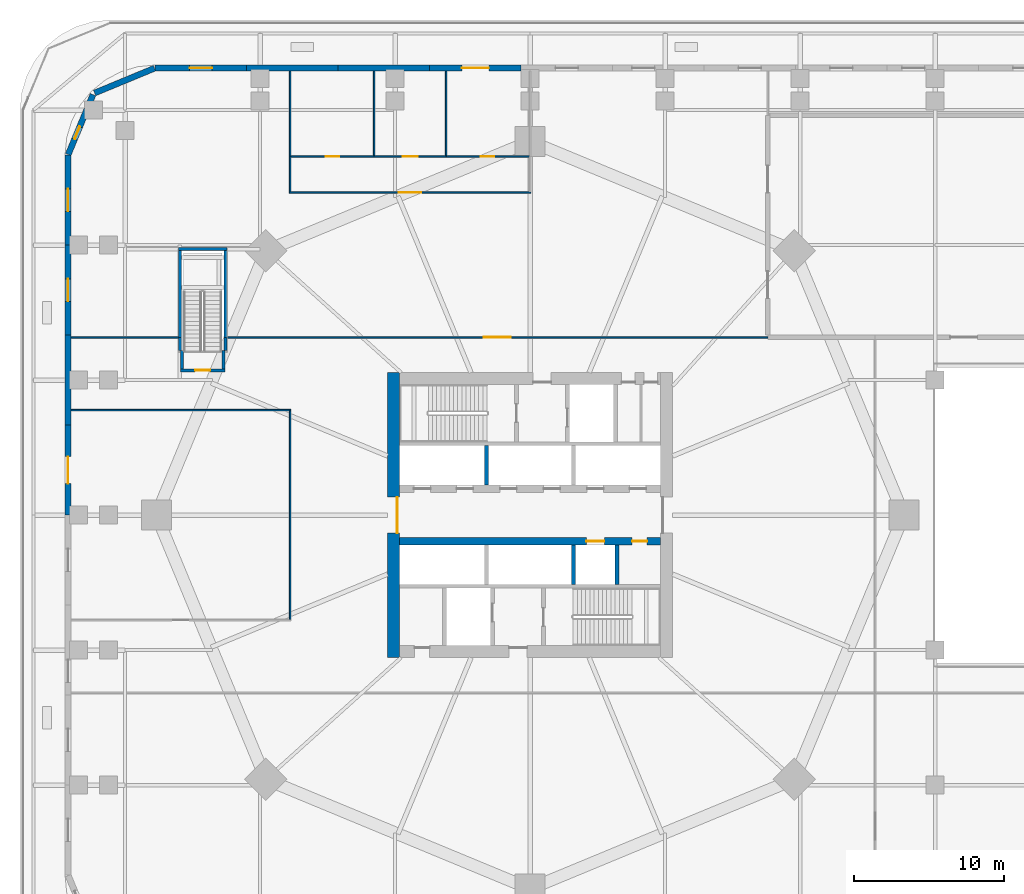
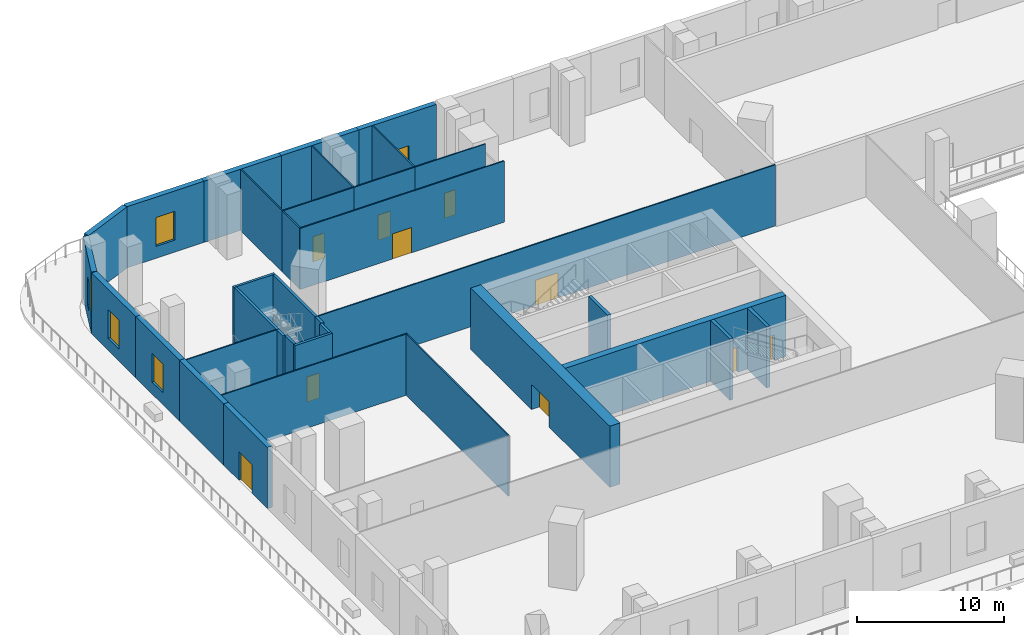
# One storey, part 5 of 19: 35 walls, 11 doors, 4 windows, 15 openings.
"""IFC4 building model written with IfcOpenShell, lengths in metres."""

from ifc_helpers import new_model, si_unit, direction, frame, frame_2d, origin, place, context, subcontext, project, spatial, rectangle, extrude, material, layer, layer_set, type_object, element, fill, save


model = new_model("IFC4")

# Units and contexts
model_context = context("Model", 3, precision=1e-05, world=origin(), true_north=direction((0.0, 1.0)))
body_context = subcontext(model_context, "Body", "Model", "MODEL_VIEW")
ifc_project = project(units=[si_unit("LENGTHUNIT", "METRE"), si_unit("AREAUNIT", "SQUARE_METRE"), si_unit("VOLUMEUNIT", "CUBIC_METRE"), si_unit("PLANEANGLEUNIT", "RADIAN"), si_unit("MASSUNIT", "GRAM", prefix="KILO")], contexts=[model_context])

# Site, building, storey
site_placement = place(None, origin())
site = spatial("IfcSite", under=ifc_project, at=site_placement, CompositionType="ELEMENT")
building_placement = place(site_placement, origin())
building = spatial("IfcBuilding", under=site, at=building_placement, Name="Ogive Gate Towers", CompositionType="ELEMENT")
storey_placement = place(building_placement, frame((0.0, 0.0, 12.60009765625)))
storey = spatial("IfcBuildingStorey", under=building, at=storey_placement, Name="L02", CompositionType="ELEMENT", Elevation=12.60009765625)

# Wall, opening, door
ifc_material_1 = material(Name="Concrete C60/75", Category="concrete")
ifc_layer_1 = layer(ifc_material_1, 0.800048828125)
ifc_layer_set_1 = layer_set([ifc_layer_1], Name="Core wall 800 mm")
wall_type_1 = type_object("IfcWallType", Name="Core wall 800 mm", PredefinedType="SHEAR", material=ifc_layer_set_1)
wall_1_placement = place(storey_placement, frame((-45.10009765625, -9.5, 0.0), z_axis=(0.0, 0.0, 1.0), x_axis=(0.0, 1.0, 0.0)))
wall_1 = element("IfcWall", 1, at=wall_1_placement, inside=storey, type_object=wall_type_1, Name="T1 L02 Core wall 800 mm", PredefinedType="SHEAR", context=body_context, shape_type="SweptSolid", body=[
    extrude(rectangle(XDim=19.0, YDim=0.800048828125, at=frame_2d((9.5, 0.0))), origin(), (0.0, 0.0, 1.0), 5.099853515625),
])
opening_1_placement = place(wall_1_placement, frame((8.300048828125, 0.0, 0.0)))
opening_1 = element("IfcOpeningElement", 2, at=opening_1_placement, cuts=wall_1, Name="Opening KD-T1-L02-01", PredefinedType="OPENING", context=body_context, shape_type="SweptSolid", body=[
    extrude(rectangle(XDim=2.39990234375, YDim=2.10009765625, at=frame_2d((1.199951171875, 1.050048828125))), frame((0.0, 0.41015625, 0.0), z_axis=(0.0, -1.0, 0.0), x_axis=(1.0, 0.0, 0.0)), (0.0, 0.0, 1.0), 0.820068359375),
])
ifc_material_2 = material(Name="Steel fire door", Category="steel")
door_type_1 = type_object("IfcDoorType", Name="Core double door FD60S 2400 x 2100", OperationType="DOUBLE_DOOR_SINGLE_SWING", PredefinedType="DOOR", material=ifc_material_2)
door_1_placement = place(opening_1_placement, origin())
door_1 = element("IfcDoor", 3, at=door_1_placement, inside=storey, type_object=door_type_1, Name="T1 L02 Core door double", OperationType="DOUBLE_DOOR_SINGLE_SWING", OverallHeight=2.10009765625, OverallWidth=2.39990234375, PredefinedType="DOOR", context=body_context, shape_type="SweptSolid", body=[
    extrude(rectangle(XDim=2.39990234375, YDim=2.10009765625, at=frame_2d((1.199951171875, 1.050048828125))), frame((0.0, -0.22509765625, 0.0), z_axis=(0.0, -1.0, 0.0), x_axis=(1.0, 0.0, 0.0)), (0.0, 0.0, 1.0), 0.050048828125),
])
fill(opening_1, door_1)

ifc_material_3 = material(Name="Gypsum board partition")
ifc_layer_2 = layer(ifc_material_3, 0.10009765625)
ifc_layer_set_2 = layer_set([ifc_layer_2], Name="Partition wall 100")
wall_type_2 = type_object("IfcWallType", Name="Partition wall 100", PredefinedType="PARTITIONING", material=ifc_layer_set_2)
wall_2_placement = place(storey_placement, frame((-51.949951171875, 23.89990234375, 0.0), z_axis=(0.0, 0.0, 1.0), x_axis=(1.0, 0.0, 0.0)))
wall_2 = element("IfcWall", 4, at=wall_2_placement, inside=storey, type_object=wall_type_2, Name="L02 partition 025", PredefinedType="PARTITIONING", context=body_context, shape_type="SweptSolid", body=[
    extrude(rectangle(XDim=5.550048828125, YDim=0.10009765625, at=frame_2d((2.77490234375, 0.0))), origin(), (0.0, 0.0, 1.0), 5.099853515625),
])
opening_2_placement = place(wall_2_placement, frame((2.324951171875, 0.0, 0.0)))
opening_2 = element("IfcOpeningElement", 5, at=opening_2_placement, cuts=wall_2, Name="Opening PO164", PredefinedType="OPENING", context=body_context, shape_type="SweptSolid", body=[
    extrude(rectangle(XDim=0.89990234375, YDim=2.10009765625, at=frame_2d((0.449951171875, 1.050048828125))), frame((0.0, 0.06005859375, 0.0), z_axis=(0.0, -1.0, 0.0), x_axis=(1.0, 0.0, 0.0)), (0.0, 0.0, 1.0), 0.1201171875),
])
ifc_material_4 = material(Name="Timber door", Category="wood")
door_type_2 = type_object("IfcDoorType", Name="Door 900 x 2100", OperationType="NOTDEFINED", PredefinedType="DOOR", material=ifc_material_4)
door_2_placement = place(opening_2_placement, origin())
door_2 = element("IfcDoor", 6, at=door_2_placement, inside=storey, type_object=door_type_2, Name="Door PO164", OperationType="SINGLE_SWING_RIGHT", OverallHeight=2.10009765625, OverallWidth=0.89990234375, PredefinedType="DOOR", context=body_context, shape_type="SweptSolid", body=[
    extrude(rectangle(XDim=0.89990234375, YDim=2.10009765625, at=frame_2d((0.449951171875, 1.050048828125))), frame((0.0, 0.02490234375, 0.0), z_axis=(0.0, -1.0, 0.0), x_axis=(1.0, 0.0, 0.0)), (0.0, 0.0, 1.0), 0.050048828125),
])
fill(opening_2, door_2)

wall_3_placement = place(storey_placement, frame((-46.39990234375, 23.89990234375, 0.0), z_axis=(0.0, 0.0, 1.0), x_axis=(1.0, 0.0, 0.0)))
wall_3 = element("IfcWall", 7, at=wall_3_placement, inside=storey, type_object=wall_type_2, Name="L02 partition 026", PredefinedType="PARTITIONING", context=body_context, shape_type="SweptSolid", body=[
    extrude(rectangle(XDim=4.7998046875, YDim=0.10009765625, at=frame_2d((2.39990234375, 0.0))), origin(), (0.0, 0.0, 1.0), 5.099853515625),
])
opening_3_placement = place(wall_3_placement, frame((1.89990234375, 0.0, 0.0)))
opening_3 = element("IfcOpeningElement", 8, at=opening_3_placement, cuts=wall_3, Name="Opening PO165", PredefinedType="OPENING", context=body_context, shape_type="SweptSolid", body=[
    extrude(rectangle(XDim=1.0, YDim=2.10009765625, at=frame_2d((0.5, 1.050048828125))), frame((0.0, 0.06005859375, 0.0), z_axis=(0.0, -1.0, 0.0), x_axis=(1.0, 0.0, 0.0)), (0.0, 0.0, 1.0), 0.1201171875),
])
door_type_3 = type_object("IfcDoorType", Name="Door 1000 x 2100", OperationType="NOTDEFINED", PredefinedType="DOOR", material=ifc_material_4)
door_3_placement = place(opening_3_placement, origin())
door_3 = element("IfcDoor", 9, at=door_3_placement, inside=storey, type_object=door_type_3, Name="Door PO165", OperationType="SINGLE_SWING_LEFT", OverallHeight=2.10009765625, OverallWidth=1.0, PredefinedType="DOOR", context=body_context, shape_type="SweptSolid", body=[
    extrude(rectangle(XDim=1.0, YDim=2.10009765625, at=frame_2d((0.5, 1.050048828125))), frame((0.0, 0.02490234375, 0.0), z_axis=(0.0, -1.0, 0.0), x_axis=(1.0, 0.0, 0.0)), (0.0, 0.0, 1.0), 0.050048828125),
])
fill(opening_3, door_3)

wall_4_placement = place(storey_placement, frame((-41.60009765625, 23.89990234375, 0.0), z_axis=(0.0, 0.0, 1.0), x_axis=(1.0, 0.0, 0.0)))
wall_4 = element("IfcWall", 10, at=wall_4_placement, inside=storey, type_object=wall_type_2, Name="L02 partition 027", PredefinedType="PARTITIONING", context=body_context, shape_type="SweptSolid", body=[
    extrude(rectangle(XDim=5.550048828125, YDim=0.10009765625, at=frame_2d((2.77490234375, 0.0))), origin(), (0.0, 0.0, 1.0), 5.099853515625),
])
opening_4_placement = place(wall_4_placement, frame((2.324951171875, 0.0, 0.0)))
opening_4 = element("IfcOpeningElement", 11, at=opening_4_placement, cuts=wall_4, Name="Opening PO166", PredefinedType="OPENING", context=body_context, shape_type="SweptSolid", body=[
    extrude(rectangle(XDim=0.89990234375, YDim=2.10009765625, at=frame_2d((0.449951171875, 1.050048828125))), frame((0.0, 0.06005859375, 0.0), z_axis=(0.0, -1.0, 0.0), x_axis=(1.0, 0.0, 0.0)), (0.0, 0.0, 1.0), 0.1201171875),
])
door_4_placement = place(opening_4_placement, origin())
door_4 = element("IfcDoor", 12, at=door_4_placement, inside=storey, type_object=door_type_2, Name="Door PO166", OperationType="SINGLE_SWING_RIGHT", OverallHeight=2.10009765625, OverallWidth=0.89990234375, PredefinedType="DOOR", context=body_context, shape_type="SweptSolid", body=[
    extrude(rectangle(XDim=0.89990234375, YDim=2.10009765625, at=frame_2d((0.449951171875, 1.050048828125))), frame((0.0, 0.02490234375, 0.0), z_axis=(0.0, -1.0, 0.0), x_axis=(1.0, 0.0, 0.0)), (0.0, 0.0, 1.0), 0.050048828125),
])
fill(opening_4, door_4)

wall_5_placement = place(storey_placement, frame((-52.050048828125, 21.5, 0.0), z_axis=(0.0, 0.0, 1.0), x_axis=(1.0, 0.0, 0.0)))
wall_5 = element("IfcWall", 13, at=wall_5_placement, inside=storey, type_object=wall_type_2, Name="L02 partition 028", PredefinedType="PARTITIONING", context=body_context, shape_type="SweptSolid", body=[
    extrude(rectangle(XDim=16.10009765625, YDim=0.10009765625, at=frame_2d((8.050048828125, 0.0))), origin(), (0.0, 0.0, 1.0), 5.099853515625),
])
opening_5_placement = place(wall_5_placement, frame((7.300048828125, 0.0, 0.0)))
opening_5 = element("IfcOpeningElement", 14, at=opening_5_placement, cuts=wall_5, Name="Opening PO163", PredefinedType="OPENING", context=body_context, shape_type="SweptSolid", body=[
    extrude(rectangle(XDim=1.5, YDim=2.10009765625, at=frame_2d((0.75, 1.050048828125))), frame((0.0, 0.06005859375, 0.0), z_axis=(0.0, -1.0, 0.0), x_axis=(1.0, 0.0, 0.0)), (0.0, 0.0, 1.0), 0.1201171875),
])
door_type_4 = type_object("IfcDoorType", Name="Double door 1500 x 2100", OperationType="NOTDEFINED", PredefinedType="DOOR", material=ifc_material_4)
door_5_placement = place(opening_5_placement, origin())
door_5 = element("IfcDoor", 15, at=door_5_placement, inside=storey, type_object=door_type_4, Name="Door PO163", OperationType="DOUBLE_DOOR_DOUBLE_SWING", OverallHeight=2.10009765625, OverallWidth=1.5, PredefinedType="DOOR", context=body_context, shape_type="SweptSolid", body=[
    extrude(rectangle(XDim=1.5, YDim=2.10009765625, at=frame_2d((0.75, 1.050048828125))), frame((0.0, 0.02490234375, 0.0), z_axis=(0.0, -1.0, 0.0), x_axis=(1.0, 0.0, 0.0)), (0.0, 0.0, 1.0), 0.050048828125),
])
fill(opening_5, door_5)

# Walls
wall_6_placement = place(storey_placement, frame((-52.0, 21.550048828125, 0.0), z_axis=(0.0, 0.0, 1.0), x_axis=(0.0, 1.0, 0.0)))
element("IfcWall", 16, at=wall_6_placement, inside=storey, type_object=wall_type_2, Name="L02 partition 029", PredefinedType="PARTITIONING", context=body_context, shape_type="SweptSolid", body=[
    extrude(rectangle(XDim=2.349853515625, YDim=0.10009765625, at=frame_2d((1.1748046875, 0.0))), origin(), (0.0, 0.0, 1.0), 5.099853515625),
])
wall_7_placement = place(storey_placement, frame((-46.39990234375, 23.949951171875, 0.0), z_axis=(0.0, 0.0, 1.0), x_axis=(0.0, 1.0, 0.0)))
element("IfcWall", 17, at=wall_7_placement, inside=storey, type_object=wall_type_2, Name="L02 partition 031", PredefinedType="PARTITIONING", context=body_context, shape_type="SweptSolid", body=[
    extrude(rectangle(XDim=5.650146484375, YDim=0.10009765625, at=frame_2d((2.8251953125, 0.0))), origin(), (0.0, 0.0, 1.0), 5.099853515625),
])
wall_8_placement = place(storey_placement, frame((-52.0, 23.89990234375, 0.0), z_axis=(0.0, 0.0, 1.0), x_axis=(0.0, 1.0, 0.0)))
element("IfcWall", 18, at=wall_8_placement, inside=storey, type_object=wall_type_2, Name="L02 partition 032", PredefinedType="PARTITIONING", context=body_context, shape_type="SweptSolid", body=[
    extrude(rectangle(XDim=5.7001953125, YDim=0.10009765625, at=frame_2d((2.85009765625, 0.0))), origin(), (0.0, 0.0, 1.0), 5.099853515625),
])
wall_9_placement = place(storey_placement, frame((-41.60009765625, 23.949951171875, 0.0), z_axis=(0.0, 0.0, 1.0), x_axis=(0.0, 1.0, 0.0)))
element("IfcWall", 19, at=wall_9_placement, inside=storey, type_object=wall_type_2, Name="L02 partition 033", PredefinedType="PARTITIONING", context=body_context, shape_type="SweptSolid", body=[
    extrude(rectangle(XDim=5.650146484375, YDim=0.10009765625, at=frame_2d((2.8251953125, 0.0))), origin(), (0.0, 0.0, 1.0), 5.099853515625),
])
wall_10_placement = place(storey_placement, frame((-66.60009765625, 11.85009765625, 0.0), z_axis=(0.0, 0.0, 1.0), x_axis=(1.0, 0.0, 0.0)))
element("IfcWall", 20, at=wall_10_placement, inside=storey, type_object=wall_type_2, Name="L02 partition 045", PredefinedType="PARTITIONING", context=body_context, shape_type="SweptSolid", body=[
    extrude(rectangle(XDim=7.150146484375, YDim=0.10009765625, at=frame_2d((3.5751953125, 0.0))), origin(), (0.0, 0.0, 1.0), 5.099853515625),
])

# Wall, opening, door
wall_11_placement = place(storey_placement, frame((-56.199951171875, 11.85009765625, 0.0), z_axis=(0.0, 0.0, 1.0), x_axis=(1.0, 0.0, 0.0)))
wall_11 = element("IfcWall", 21, at=wall_11_placement, inside=storey, type_object=wall_type_2, Name="L02 partition 046", PredefinedType="PARTITIONING", context=body_context, shape_type="SweptSolid", body=[
    extrude(rectangle(XDim=36.050048828125, YDim=0.10009765625, at=frame_2d((18.02490234375, 0.0))), origin(), (0.0, 0.0, 1.0), 5.099853515625),
])
opening_6_placement = place(wall_11_placement, frame((17.125, 0.0, 0.0)))
opening_6 = element("IfcOpeningElement", 22, at=opening_6_placement, cuts=wall_11, Name="Opening PO176", PredefinedType="OPENING", context=body_context, shape_type="SweptSolid", body=[
    extrude(rectangle(XDim=1.800048828125, YDim=2.10009765625, at=frame_2d((0.89990234375, 1.050048828125))), frame((0.0, 0.06005859375, 0.0), z_axis=(0.0, -1.0, 0.0), x_axis=(1.0, 0.0, 0.0)), (0.0, 0.0, 1.0), 0.1201171875),
])
door_type_5 = type_object("IfcDoorType", Name="Double door 1800 x 2100", OperationType="NOTDEFINED", PredefinedType="DOOR", material=ifc_material_4)
door_6_placement = place(opening_6_placement, origin())
door_6 = element("IfcDoor", 23, at=door_6_placement, inside=storey, type_object=door_type_5, Name="Door PO176", OperationType="DOUBLE_DOOR_DOUBLE_SWING", OverallHeight=2.10009765625, OverallWidth=1.800048828125, PredefinedType="DOOR", context=body_context, shape_type="SweptSolid", body=[
    extrude(rectangle(XDim=1.800048828125, YDim=2.10009765625, at=frame_2d((0.89990234375, 1.050048828125))), frame((0.0, 0.02490234375, 0.0), z_axis=(0.0, -1.0, 0.0), x_axis=(1.0, 0.0, 0.0)), (0.0, 0.0, 1.0), 0.050048828125),
])
fill(opening_6, door_6)

# Walls
wall_12_placement = place(storey_placement, frame((-66.60009765625, 7.0, 0.0), z_axis=(0.0, 0.0, 1.0), x_axis=(1.0, 0.0, 0.0)))
element("IfcWall", 24, at=wall_12_placement, inside=storey, type_object=wall_type_2, Name="L02 partition 059", PredefinedType="PARTITIONING", context=body_context, shape_type="SweptSolid", body=[
    extrude(rectangle(XDim=14.650146484375, YDim=0.10009765625, at=frame_2d((7.3251953125, 0.0))), origin(), (0.0, 0.0, 1.0), 5.099853515625),
])
wall_13_placement = place(storey_placement, frame((-52.0, -6.949951171875, 0.0), z_axis=(0.0, 0.0, 1.0), x_axis=(0.0, 1.0, 0.0)))
element("IfcWall", 25, at=wall_13_placement, inside=storey, type_object=wall_type_2, Name="L02 partition 060", PredefinedType="PARTITIONING", context=body_context, shape_type="SweptSolid", body=[
    extrude(rectangle(XDim=13.89990234375, YDim=0.10009765625, at=frame_2d((6.949951171875, 0.0))), origin(), (0.0, 0.0, 1.0), 5.099853515625),
])

# Wall, opening, door
ifc_material_5 = material(Name="Precast concrete C40/50", Category="concrete")
ifc_layer_3 = layer(ifc_material_5, 0.39990234375)
ifc_layer_set_3 = layer_set([ifc_layer_3], Name="Podium wall 400")
wall_type_3 = type_object("IfcWallType", Name="Podium wall 400", PredefinedType="SOLIDWALL", material=ifc_layer_set_3)
wall_14_placement = place(storey_placement, frame((-36.60009765625, 29.800048828125, 0.0), z_axis=(0.0, 0.0, 1.0), x_axis=(-1.0, 0.0, 0.0)))
wall_14 = element("IfcWall", 26, at=wall_14_placement, inside=storey, type_object=wall_type_3, Name="Podium wall", PredefinedType="SOLIDWALL", context=body_context, shape_type="SweptSolid", body=[
    extrude(rectangle(XDim=6.099853515625, YDim=0.39990234375, at=frame_2d((3.0498046875, 0.0))), origin(), (0.0, 0.0, 1.0), 5.099853515625),
])
opening_7_placement = place(wall_14_placement, frame((2.14990234375, 0.0, 0.0)))
opening_7 = element("IfcOpeningElement", 27, at=opening_7_placement, cuts=wall_14, Name="Opening ED3-L02-03", PredefinedType="OPENING", context=body_context, shape_type="SweptSolid", body=[
    extrude(rectangle(XDim=1.800048828125, YDim=2.39990234375, at=frame_2d((0.89990234375, 1.199951171875))), frame((0.0, 0.2099609375, 0.0), z_axis=(0.0, -1.0, 0.0), x_axis=(1.0, 0.0, 0.0)), (0.0, 0.0, 1.0), 0.419921875),
])
ifc_material_6 = material(Name="Pale metal aluminium", Category="aluminium")
door_type_6 = type_object("IfcDoorType", Name="Terrace door 1800 x 2400", OperationType="DOUBLE_DOOR_SINGLE_SWING", PredefinedType="DOOR", material=ifc_material_6)
door_7_placement = place(opening_7_placement, origin())
door_7 = element("IfcDoor", 28, at=door_7_placement, inside=storey, type_object=door_type_6, Name="Exterior door", OperationType="SINGLE_SWING_LEFT", OverallHeight=2.39990234375, OverallWidth=1.800048828125, PredefinedType="DOOR", context=body_context, shape_type="SweptSolid", body=[
    extrude(rectangle(XDim=1.800048828125, YDim=2.39990234375, at=frame_2d((0.89990234375, 1.199951171875))), frame((0.0, 0.02490234375, 0.0), z_axis=(0.0, -1.0, 0.0), x_axis=(1.0, 0.0, 0.0)), (0.0, 0.0, 1.0), 0.050048828125),
])
fill(opening_7, door_7)

# Walls
wall_15_placement = place(storey_placement, frame((-42.699951171875, 29.800048828125, 0.0), z_axis=(0.0, 0.0, 1.0), x_axis=(-1.0, 0.0, 0.0)))
element("IfcWall", 29, at=wall_15_placement, inside=storey, type_object=wall_type_3, Name="Podium wall", PredefinedType="SOLIDWALL", context=body_context, shape_type="SweptSolid", body=[
    extrude(rectangle(XDim=6.10009765625, YDim=0.39990234375, at=frame_2d((3.050048828125, 0.0))), origin(), (0.0, 0.0, 1.0), 5.099853515625),
])
wall_16_placement = place(storey_placement, frame((-48.800048828125, 29.800048828125, 0.0), z_axis=(0.0, 0.0, 1.0), x_axis=(-1.0, 0.0, 0.0)))
element("IfcWall", 30, at=wall_16_placement, inside=storey, type_object=wall_type_3, Name="Podium wall", PredefinedType="SOLIDWALL", context=body_context, shape_type="SweptSolid", body=[
    extrude(rectangle(XDim=6.099853515625, YDim=0.39990234375, at=frame_2d((3.0498046875, 0.0))), origin(), (0.0, 0.0, 1.0), 5.099853515625),
])

# Wall, opening, window
wall_17_placement = place(storey_placement, frame((-54.89990234375, 29.800048828125, 0.0), z_axis=(0.0, 0.0, 1.0), x_axis=(-1.0, 0.0, 0.0)))
wall_17 = element("IfcWall", 31, at=wall_17_placement, inside=storey, type_object=wall_type_3, Name="Podium wall", PredefinedType="SOLIDWALL", context=body_context, shape_type="SweptSolid", body=[
    extrude(rectangle(XDim=6.10009765625, YDim=0.39990234375, at=frame_2d((3.050048828125, 0.0))), origin(), (0.0, 0.0, 1.0), 5.099853515625),
])
opening_8_placement = place(wall_17_placement, frame((2.300048828125, 0.0, 1.0)))
opening_8 = element("IfcOpeningElement", 32, at=opening_8_placement, cuts=wall_17, Name="Opening WN2", PredefinedType="OPENING", context=body_context, shape_type="SweptSolid", body=[
    extrude(rectangle(XDim=1.5, YDim=2.39990234375, at=frame_2d((0.75, 1.199951171875))), frame((0.0, 0.2099609375, 0.0), z_axis=(0.0, -1.0, 0.0), x_axis=(1.0, 0.0, 0.0)), (0.0, 0.0, 1.0), 0.419921875),
])
ifc_material_7 = material(Name="Clear glass", Category="glass")
window_type_1 = type_object("IfcWindowType", Name="Podium window 1500 x 2400", PartitioningType="SINGLE_PANEL", PredefinedType="WINDOW", material=ifc_material_7)
window_1_placement = place(opening_8_placement, origin())
window_1 = element("IfcWindow", 33, at=window_1_placement, inside=storey, type_object=window_type_1, Name="Podium window", OverallHeight=2.39990234375, OverallWidth=1.5, PartitioningType="SINGLE_PANEL", PredefinedType="WINDOW", context=body_context, shape_type="SweptSolid", body=[
    extrude(rectangle(XDim=1.5, YDim=2.39990234375, at=frame_2d((0.75, 1.199951171875))), frame((0.0, 0.030029296875, 0.0), z_axis=(0.0, -1.0, 0.0), x_axis=(1.0, 0.0, 0.0)), (0.0, 0.0, 1.0), 0.06005859375),
])
fill(opening_8, window_1)

# Wall
wall_18_placement = place(storey_placement, frame((-61.036865234375, 29.784912109375, 0.0), z_axis=(0.0, 0.0, 1.0), x_axis=(-0.923854820772, -0.382743086333, 0.0)))
element("IfcWall", 34, at=wall_18_placement, inside=storey, type_object=wall_type_3, Name="Podium wall", PredefinedType="SOLIDWALL", context=body_context, shape_type="SweptSolid", body=[
    extrude(rectangle(XDim=4.31640625, YDim=0.39990234375, at=frame_2d((2.158203125, 0.0))), origin(), (0.0, 0.0, 1.0), 5.099853515625),
])

# Wall, opening, window
wall_19_placement = place(storey_placement, frame((-65.1328125, 28.024658203125, 0.0), z_axis=(0.0, 0.0, 1.0), x_axis=(-0.382743086333, -0.923854820772, 0.0)))
wall_19 = element("IfcWall", 35, at=wall_19_placement, inside=storey, type_object=wall_type_3, Name="Podium wall", PredefinedType="SOLIDWALL", context=body_context, shape_type="SweptSolid", body=[
    extrude(rectangle(XDim=4.31640625, YDim=0.39990234375, at=frame_2d((2.158203125, 0.0))), origin(), (0.0, 0.0, 1.0), 5.099853515625),
])
opening_9_placement = place(wall_19_placement, frame((2.308349609375, 0.0, 1.0)))
opening_9 = element("IfcOpeningElement", 36, at=opening_9_placement, cuts=wall_19, Name="Opening WN5", PredefinedType="OPENING", context=body_context, shape_type="SweptSolid", body=[
    extrude(rectangle(XDim=0.89990234375, YDim=2.39990234375, at=frame_2d((0.449951171875, 1.199951171875))), frame((0.0, 0.2099609375, 0.0), z_axis=(0.0, -1.0, 0.0), x_axis=(1.0, 0.0, 0.0)), (0.0, 0.0, 1.0), 0.419921875),
])
window_type_2 = type_object("IfcWindowType", Name="Narrow window 900 x 2400", PartitioningType="SINGLE_PANEL", PredefinedType="WINDOW", material=ifc_material_7)
window_2_placement = place(opening_9_placement, origin())
window_2 = element("IfcWindow", 37, at=window_2_placement, inside=storey, type_object=window_type_2, Name="Podium window", OverallHeight=2.39990234375, OverallWidth=0.89990234375, PartitioningType="SINGLE_PANEL", PredefinedType="WINDOW", context=body_context, shape_type="SweptSolid", body=[
    extrude(rectangle(XDim=0.89990234375, YDim=2.39990234375, at=frame_2d((0.449951171875, 1.199951171875))), frame((0.0, 0.030029296875, 0.0), z_axis=(0.0, -1.0, 0.0), x_axis=(1.0, 0.0, 0.0)), (0.0, 0.0, 1.0), 0.06005859375),
])
fill(opening_9, window_2)

wall_20_placement = place(storey_placement, frame((-66.800048828125, 24.0, 0.0), z_axis=(0.0, 0.0, 1.0), x_axis=(0.0, -1.0, 0.0)))
wall_20 = element("IfcWall", 38, at=wall_20_placement, inside=storey, type_object=wall_type_3, Name="Podium wall", PredefinedType="SOLIDWALL", context=body_context, shape_type="SweptSolid", body=[
    extrude(rectangle(XDim=6.0, YDim=0.39990234375, at=frame_2d((3.0, 0.0))), origin(), (0.0, 0.0, 1.0), 5.099853515625),
])
opening_10_placement = place(wall_20_placement, frame((2.25, 0.0, 1.0)))
opening_10 = element("IfcOpeningElement", 39, at=opening_10_placement, cuts=wall_20, Name="Opening WN2", PredefinedType="OPENING", context=body_context, shape_type="SweptSolid", body=[
    extrude(rectangle(XDim=1.5, YDim=2.39990234375, at=frame_2d((0.75, 1.199951171875))), frame((0.0, 0.2099609375, 0.0), z_axis=(0.0, -1.0, 0.0), x_axis=(1.0, 0.0, 0.0)), (0.0, 0.0, 1.0), 0.419921875),
])
window_3_placement = place(opening_10_placement, origin())
window_3 = element("IfcWindow", 40, at=window_3_placement, inside=storey, type_object=window_type_1, Name="Podium window", OverallHeight=2.39990234375, OverallWidth=1.5, PartitioningType="SINGLE_PANEL", PredefinedType="WINDOW", context=body_context, shape_type="SweptSolid", body=[
    extrude(rectangle(XDim=1.5, YDim=2.39990234375, at=frame_2d((0.75, 1.199951171875))), frame((0.0, 0.030029296875, 0.0), z_axis=(0.0, -1.0, 0.0), x_axis=(1.0, 0.0, 0.0)), (0.0, 0.0, 1.0), 0.06005859375),
])
fill(opening_10, window_3)

wall_21_placement = place(storey_placement, frame((-66.800048828125, 18.0, 0.0), z_axis=(0.0, 0.0, 1.0), x_axis=(0.0, -1.0, 0.0)))
wall_21 = element("IfcWall", 41, at=wall_21_placement, inside=storey, type_object=wall_type_3, Name="Podium wall", PredefinedType="SOLIDWALL", context=body_context, shape_type="SweptSolid", body=[
    extrude(rectangle(XDim=6.0, YDim=0.39990234375, at=frame_2d((3.0, 0.0))), origin(), (0.0, 0.0, 1.0), 5.099853515625),
])
opening_11_placement = place(wall_21_placement, frame((2.25, 0.0, 1.0)))
opening_11 = element("IfcOpeningElement", 42, at=opening_11_placement, cuts=wall_21, Name="Opening WN2", PredefinedType="OPENING", context=body_context, shape_type="SweptSolid", body=[
    extrude(rectangle(XDim=1.5, YDim=2.39990234375, at=frame_2d((0.75, 1.199951171875))), frame((0.0, 0.2099609375, 0.0), z_axis=(0.0, -1.0, 0.0), x_axis=(1.0, 0.0, 0.0)), (0.0, 0.0, 1.0), 0.419921875),
])
window_4_placement = place(opening_11_placement, origin())
window_4 = element("IfcWindow", 43, at=window_4_placement, inside=storey, type_object=window_type_1, Name="Podium window", OverallHeight=2.39990234375, OverallWidth=1.5, PartitioningType="SINGLE_PANEL", PredefinedType="WINDOW", context=body_context, shape_type="SweptSolid", body=[
    extrude(rectangle(XDim=1.5, YDim=2.39990234375, at=frame_2d((0.75, 1.199951171875))), frame((0.0, 0.030029296875, 0.0), z_axis=(0.0, -1.0, 0.0), x_axis=(1.0, 0.0, 0.0)), (0.0, 0.0, 1.0), 0.06005859375),
])
fill(opening_11, window_4)

# Wall
wall_22_placement = place(storey_placement, frame((-66.800048828125, 12.0, 0.0), z_axis=(0.0, 0.0, 1.0), x_axis=(0.0, -1.0, 0.0)))
element("IfcWall", 44, at=wall_22_placement, inside=storey, type_object=wall_type_3, Name="Podium wall", PredefinedType="SOLIDWALL", context=body_context, shape_type="SweptSolid", body=[
    extrude(rectangle(XDim=6.0, YDim=0.39990234375, at=frame_2d((3.0, 0.0))), origin(), (0.0, 0.0, 1.0), 5.099853515625),
])

# Wall, opening, door
wall_23_placement = place(storey_placement, frame((-66.800048828125, 6.0, 0.0), z_axis=(0.0, 0.0, 1.0), x_axis=(0.0, -1.0, 0.0)))
wall_23 = element("IfcWall", 45, at=wall_23_placement, inside=storey, type_object=wall_type_3, Name="Podium wall", PredefinedType="SOLIDWALL", context=body_context, shape_type="SweptSolid", body=[
    extrude(rectangle(XDim=6.0, YDim=0.39990234375, at=frame_2d((3.0, 0.0))), origin(), (0.0, 0.0, 1.0), 5.099853515625),
])
opening_12_placement = place(wall_23_placement, frame((2.10009765625, 0.0, 0.0)))
opening_12 = element("IfcOpeningElement", 46, at=opening_12_placement, cuts=wall_23, Name="Opening ED3-L02-04", PredefinedType="OPENING", context=body_context, shape_type="SweptSolid", body=[
    extrude(rectangle(XDim=1.800048828125, YDim=2.39990234375, at=frame_2d((0.89990234375, 1.199951171875))), frame((0.0, 0.2099609375, 0.0), z_axis=(0.0, -1.0, 0.0), x_axis=(1.0, 0.0, 0.0)), (0.0, 0.0, 1.0), 0.419921875),
])
door_8_placement = place(opening_12_placement, origin())
door_8 = element("IfcDoor", 47, at=door_8_placement, inside=storey, type_object=door_type_6, Name="Exterior door", OperationType="SINGLE_SWING_LEFT", OverallHeight=2.39990234375, OverallWidth=1.800048828125, PredefinedType="DOOR", context=body_context, shape_type="SweptSolid", body=[
    extrude(rectangle(XDim=1.800048828125, YDim=2.39990234375, at=frame_2d((0.89990234375, 1.199951171875))), frame((0.0, 0.02490234375, 0.0), z_axis=(0.0, -1.0, 0.0), x_axis=(1.0, 0.0, 0.0)), (0.0, 0.0, 1.0), 0.050048828125),
])
fill(opening_12, door_8)

# Walls
ifc_layer_4 = layer(ifc_material_1, 0.25)
ifc_layer_set_4 = layer_set([ifc_layer_4], Name="Shaft wall 250 mm")
wall_type_4 = type_object("IfcWallType", Name="Shaft wall 250 mm", PredefinedType="SHEAR", material=ifc_layer_set_4)
for number, where, z_axis, x_axis, name in (
    (48, (-38.89990234375, 2.0, 0.0), (0.0, 0.0, 1.0), (0.0, 1.0, 0.0), "T1 L02 Shaft wall 250 mm"),
    (49, (-33.10009765625, -4.625, 0.0), (0.0, 0.0, 1.0), (0.0, 1.0, 0.0), "T1 L02 Shaft wall 250 mm"),
    (50, (-30.199951171875, -4.625, 0.0), (0.0, 0.0, 1.0), (0.0, 1.0, 0.0), "T1 L02 Shaft wall 250 mm"),
):
    element("IfcWall", number, at=place(storey_placement, frame(where, z_axis=z_axis, x_axis=x_axis)), inside=storey, type_object=wall_type_4, Name=name, PredefinedType="SHEAR", context=body_context, shape_type="SweptSolid", body=[
        extrude(rectangle(XDim=2.625, YDim=0.25, at=frame_2d((1.3125, 0.0))), origin(), (0.0, 0.0, 1.0), 5.099853515625),
    ])

# Wall, openings, doors
ifc_layer_5 = layer(ifc_material_1, 0.5)
ifc_layer_set_5 = layer_set([ifc_layer_5], Name="Spine wall 500 mm")
wall_type_5 = type_object("IfcWallType", Name="Spine wall 500 mm", PredefinedType="SHEAR", material=ifc_layer_set_5)
wall_24_placement = place(storey_placement, frame((-44.699951171875, -1.75, 0.0), z_axis=(0.0, 0.0, 1.0), x_axis=(1.0, 0.0, 0.0)))
wall_24 = element("IfcWall", 51, at=wall_24_placement, inside=storey, type_object=wall_type_5, Name="T1 L02 Spine wall 500 mm", PredefinedType="SHEAR", context=body_context, shape_type="SweptSolid", body=[
    extrude(rectangle(XDim=17.39990234375, YDim=0.5, at=frame_2d((8.699951171875, 0.0))), origin(), (0.0, 0.0, 1.0), 5.099853515625),
])
opening_13_placement = place(wall_24_placement, frame((12.449951171875, 0.0, 0.0)))
opening_13 = element("IfcOpeningElement", 52, at=opening_13_placement, cuts=wall_24, Name="Opening LD-T1-L02-09", PredefinedType="OPENING", context=body_context, shape_type="SweptSolid", body=[
    extrude(rectangle(XDim=1.199951171875, YDim=2.10009765625, at=frame_2d((0.60009765625, 1.050048828125))), frame((0.0, 0.260009765625, 0.0), z_axis=(0.0, -1.0, 0.0), x_axis=(1.0, 0.0, 0.0)), (0.0, 0.0, 1.0), 0.52001953125),
])
opening_14_placement = place(wall_24_placement, frame((15.5, 0.0, 0.0)))
opening_14 = element("IfcOpeningElement", 53, at=opening_14_placement, cuts=wall_24, Name="Opening KD-T1-L02-12", PredefinedType="OPENING", context=body_context, shape_type="SweptSolid", body=[
    extrude(rectangle(XDim=1.0, YDim=2.10009765625, at=frame_2d((0.5, 1.050048828125))), frame((0.0, 0.260009765625, 0.0), z_axis=(0.0, -1.0, 0.0), x_axis=(1.0, 0.0, 0.0)), (0.0, 0.0, 1.0), 0.52001953125),
])
door_type_7 = type_object("IfcDoorType", Name="Core door FD60S 1000 x 2100", OperationType="NOTDEFINED", PredefinedType="DOOR", material=ifc_material_2)
door_9_placement = place(opening_14_placement, origin())
door_9 = element("IfcDoor", 54, at=door_9_placement, inside=storey, type_object=door_type_7, Name="T1 L02 Core door", OperationType="SINGLE_SWING_LEFT", OverallHeight=2.10009765625, OverallWidth=1.0, PredefinedType="DOOR", context=body_context, shape_type="SweptSolid", body=[
    extrude(rectangle(XDim=1.0, YDim=2.10009765625, at=frame_2d((0.5, 1.050048828125))), frame((0.0, 0.02490234375, 0.0), z_axis=(0.0, -1.0, 0.0), x_axis=(1.0, 0.0, 0.0)), (0.0, 0.0, 1.0), 0.050048828125),
])
fill(opening_14, door_9)
ifc_material_8 = material(Name="Stainless steel landing door", Category="steel")
door_type_8 = type_object("IfcDoorType", Name="Landing door 1200 x 2100", OperationType="SLIDING_TO_LEFT", PredefinedType="DOOR", material=ifc_material_8)
door_10_placement = place(opening_13_placement, origin())
door_10 = element("IfcDoor", 55, at=door_10_placement, inside=storey, type_object=door_type_8, Name="T1 L02 Lift landing door SVC", OperationType="SLIDING_TO_LEFT", OverallHeight=2.10009765625, OverallWidth=1.199951171875, PredefinedType="DOOR", context=body_context, shape_type="SweptSolid", body=[
    extrude(rectangle(XDim=1.199951171875, YDim=2.10009765625, at=frame_2d((0.60009765625, 1.050048828125))), frame((0.0, 0.02490234375, 0.0), z_axis=(0.0, -1.0, 0.0), x_axis=(1.0, 0.0, 0.0)), (0.0, 0.0, 1.0), 0.050048828125),
])
fill(opening_13, door_10)

# Walls
ifc_material_9 = material(Name="Reinforced concrete C32/40", Category="concrete")
ifc_layer_6 = layer(ifc_material_9, 0.199951171875)
ifc_layer_set_6 = layer_set([ifc_layer_6], Name="Stair shaft wall 200")
wall_type_6 = type_object("IfcWallType", Name="Stair shaft wall 200", PredefinedType="SOLIDWALL", material=ifc_layer_set_6)
wall_25_placement = place(storey_placement, frame((-59.449951171875, 17.719970703125, 0.0), z_axis=(0.0, 0.0, 1.0), x_axis=(1.0, 0.0, 0.0)))
element("IfcWall", 56, at=wall_25_placement, inside=storey, type_object=wall_type_6, Name="L02 stair shaft wall 001", PredefinedType="SOLIDWALL", context=body_context, shape_type="SweptSolid", body=[
    extrude(rectangle(XDim=3.25, YDim=0.199951171875, at=frame_2d((1.625, 0.0))), origin(), (0.0, 0.0, 1.0), 5.099853515625),
])
for number, where, z_axis, x_axis, name in (
    (57, (-59.35009765625, 11.85009765625, 0.0), (0.0, 0.0, 1.0), (0.0, 1.0, 0.0), "L02 stair shaft wall 002"),
    (58, (-56.300048828125, 11.85009765625, 0.0), (0.0, 0.0, 1.0), (0.0, 1.0, 0.0), "L02 stair shaft wall 003"),
):
    element("IfcWall", number, at=place(storey_placement, frame(where, z_axis=z_axis, x_axis=x_axis)), inside=storey, type_object=wall_type_6, Name=name, PredefinedType="SOLIDWALL", context=body_context, shape_type="SweptSolid", body=[
        extrude(rectangle(XDim=5.77001953125, YDim=0.199951171875, at=frame_2d((2.885009765625, 0.0))), origin(), (0.0, 0.0, 1.0), 5.099853515625),
    ])

# Wall, opening, door
wall_26_placement = place(storey_placement, frame((-59.300048828125, 9.64990234375, 0.0), z_axis=(0.0, 0.0, 1.0), x_axis=(1.0, 0.0, 0.0)))
wall_26 = element("IfcWall", 59, at=wall_26_placement, inside=storey, type_object=wall_type_6, Name="L02 stair shaft wall 004", PredefinedType="SOLIDWALL", context=body_context, shape_type="SweptSolid", body=[
    extrude(rectangle(XDim=2.949951171875, YDim=0.199951171875, at=frame_2d((1.47509765625, 0.0))), origin(), (0.0, 0.0, 1.0), 5.099853515625),
])
opening_15_placement = place(wall_26_placement, frame((0.97509765625, 0.0, 0.0)))
opening_15 = element("IfcOpeningElement", 60, at=opening_15_placement, cuts=wall_26, Name="Opening PO154", PredefinedType="OPENING", context=body_context, shape_type="SweptSolid", body=[
    extrude(rectangle(XDim=1.0, YDim=2.10009765625, at=frame_2d((0.5, 1.050048828125))), frame((0.0, 0.10986328125, 0.0), z_axis=(0.0, -1.0, 0.0), x_axis=(1.0, 0.0, 0.0)), (0.0, 0.0, 1.0), 0.219970703125),
])
door_type_9 = type_object("IfcDoorType", Name="Interior fire door FD120S 1000 x 2100", OperationType="NOTDEFINED", PredefinedType="DOOR", material=ifc_material_2)
door_11_placement = place(opening_15_placement, origin())
door_11 = element("IfcDoor", 61, at=door_11_placement, inside=storey, type_object=door_type_9, Name="Door PO154", OperationType="SINGLE_SWING_RIGHT", OverallHeight=2.10009765625, OverallWidth=1.0, PredefinedType="DOOR", context=body_context, shape_type="SweptSolid", body=[
    extrude(rectangle(XDim=1.0, YDim=2.10009765625, at=frame_2d((0.5, 1.050048828125))), frame((0.0, 0.02490234375, 0.0), z_axis=(0.0, -1.0, 0.0), x_axis=(1.0, 0.0, 0.0)), (0.0, 0.0, 1.0), 0.050048828125),
])
fill(opening_15, door_11)

# Walls
wall_27_placement = place(storey_placement, frame((-59.35009765625, 10.965087890625, 0.0), z_axis=(0.0, 0.0, 1.0), x_axis=(0.0, 1.0, 0.0)))
element("IfcWall", 62, at=wall_27_placement, inside=storey, type_object=wall_type_6, Name="L02 stair shaft wall 005", PredefinedType="SOLIDWALL", context=body_context, shape_type="SweptSolid", body=[
    extrude(rectangle(XDim=0.885009765625, YDim=0.199951171875, at=frame_2d((0.4423828125, 0.0))), origin(), (0.0, 0.0, 1.0), 5.099853515625),
])
for number, where, z_axis, x_axis, name in (
    (63, (-59.199951171875, 9.75, 0.0), (0.0, 0.0, 1.0), (0.0, 1.0, 0.0), "L02 stair shaft wall 006"),
    (64, (-56.449951171875, 9.75, 0.0), (0.0, 0.0, 1.0), (0.0, 1.0, 0.0), "L02 stair shaft wall 007"),
):
    element("IfcWall", number, at=place(storey_placement, frame(where, z_axis=z_axis, x_axis=x_axis)), inside=storey, type_object=wall_type_6, Name=name, PredefinedType="SOLIDWALL", context=body_context, shape_type="SweptSolid", body=[
        extrude(rectangle(XDim=1.215087890625, YDim=0.199951171875, at=frame_2d((0.607421875, 0.0))), origin(), (0.0, 0.0, 1.0), 5.099853515625),
    ])
wall_28_placement = place(storey_placement, frame((-56.300048828125, 10.965087890625, 0.0), z_axis=(0.0, 0.0, 1.0), x_axis=(0.0, 1.0, 0.0)))
element("IfcWall", 65, at=wall_28_placement, inside=storey, type_object=wall_type_6, Name="L02 stair shaft wall 008", PredefinedType="SOLIDWALL", context=body_context, shape_type="SweptSolid", body=[
    extrude(rectangle(XDim=0.885009765625, YDim=0.199951171875, at=frame_2d((0.4423828125, 0.0))), origin(), (0.0, 0.0, 1.0), 5.099853515625),
])

save(model, "model.ifc")
